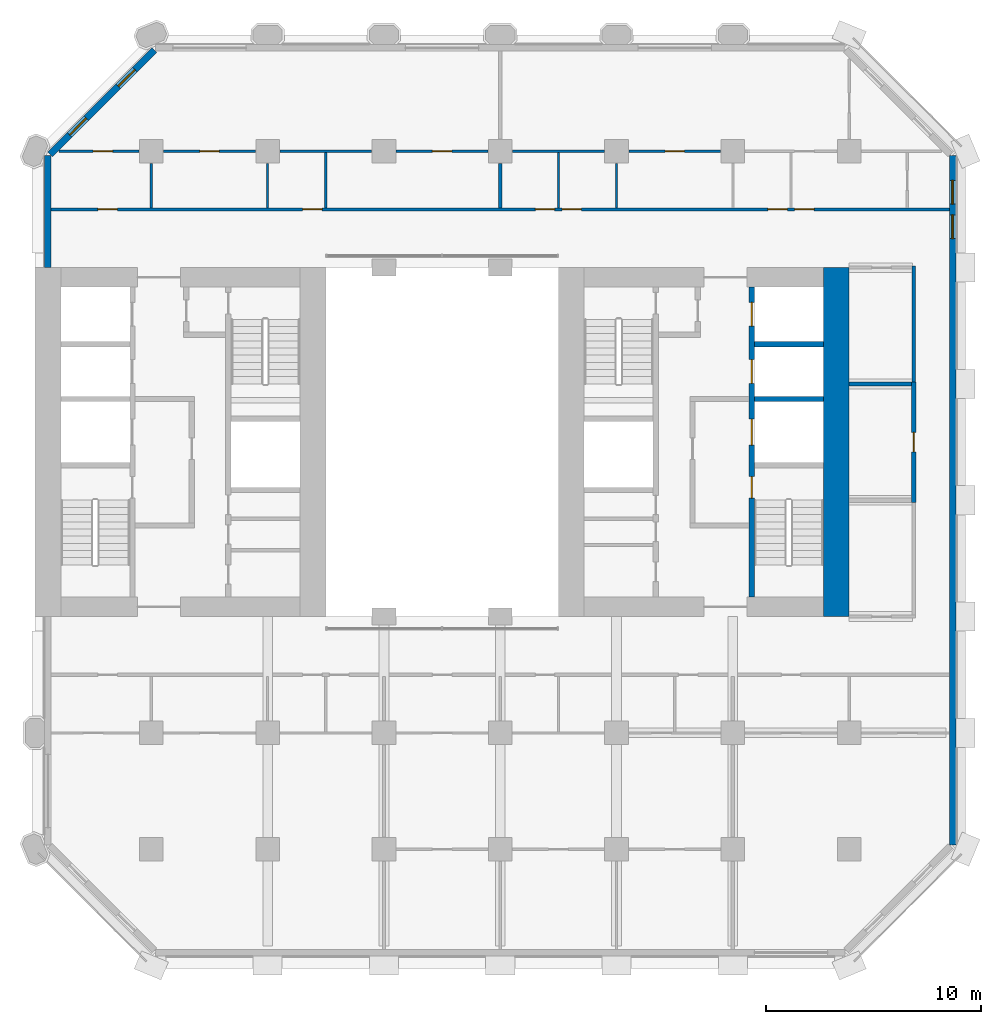
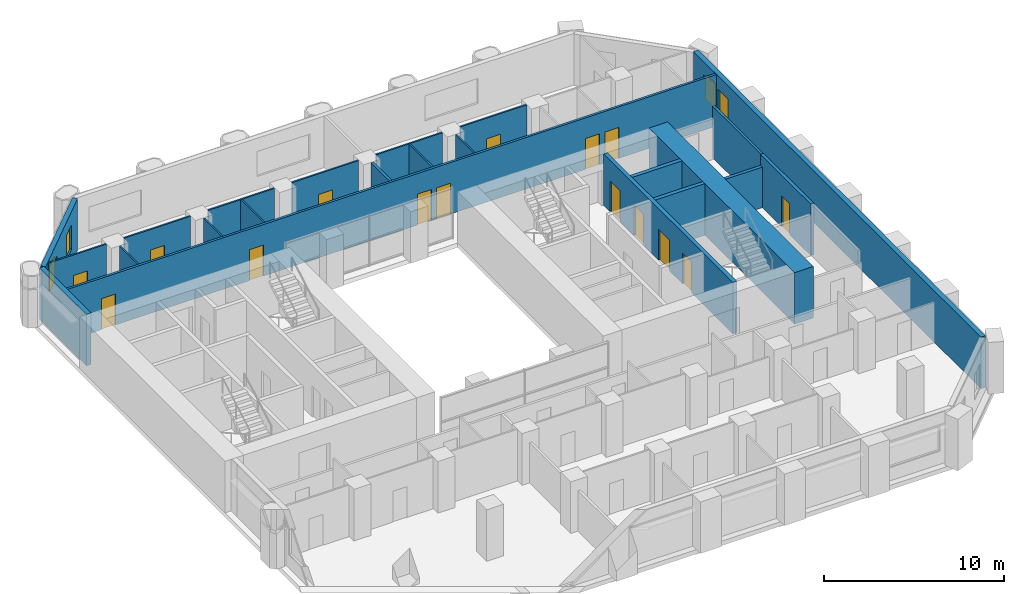
# One storey, part 10 of 13: 23 walls, 15 doors, 4 windows, 19 openings.
"""IFC4 building model written with IfcOpenShell, lengths in metres."""

from ifc_helpers import new_model, si_unit, direction, frame, frame_2d, origin, place, context, subcontext, project, spatial, rectangle, extrude, material, layer, layer_set, type_object, element, fill, save


model = new_model("IFC4")

# Units and contexts
model_context = context("Model", 3, precision=1e-05, world=origin(), true_north=direction((0.0, 1.0)))
body_context = subcontext(model_context, "Body", "Model", "MODEL_VIEW")
ifc_project = project(units=[si_unit("LENGTHUNIT", "METRE"), si_unit("AREAUNIT", "SQUARE_METRE"), si_unit("VOLUMEUNIT", "CUBIC_METRE"), si_unit("PLANEANGLEUNIT", "RADIAN"), si_unit("MASSUNIT", "GRAM", prefix="KILO")], contexts=[model_context])

# Site, building, storey
site_placement = place(None, origin())
site = spatial("IfcSite", under=ifc_project, at=site_placement, CompositionType="ELEMENT")
building_placement = place(site_placement, origin())
building = spatial("IfcBuilding", under=site, at=building_placement, Name="Tabaq Tower and Sports Hall", CompositionType="ELEMENT")
storey_placement = place(building_placement, frame((0.0, 0.0, 37.39990234375)))
storey = spatial("IfcBuildingStorey", under=building, at=storey_placement, Name="L07", CompositionType="ELEMENT", Elevation=37.39990234375)

# Wall
ifc_material_1 = material(Name="Concrete C60/75", Category="concrete")
ifc_layer_1 = layer(ifc_material_1, 1.199951171875)
ifc_layer_set_1 = layer_set([ifc_layer_1], Name="Core wall 1200 Concrete C60/75")
wall_type_1 = type_object("IfcWallType", Name="Core wall 1200 Concrete C60/75", PredefinedType="SOLIDWALL", material=ifc_layer_set_1)
wall_1_placement = place(storey_placement, frame((42.60009765625, 32.39990234375, 0.0), z_axis=(0.0, 0.0, 1.0), x_axis=(0.0, -1.0, 0.0)))
element("IfcWall", 1, at=wall_1_placement, inside=storey, type_object=wall_type_1, Name="Core wall E L07", PredefinedType="SOLIDWALL", context=body_context, shape_type="SweptSolid", body=[
    extrude(rectangle(XDim=16.199951171875, YDim=1.199951171875, at=frame_2d((8.10009765625, 0.0))), origin(), (0.0, 0.0, 1.0), 3.5),
])

# Wall, opening, door
ifc_material_2 = material(Name="Blockwork", Category="masonry")
ifc_layer_2 = layer(ifc_material_2, 0.199951171875)
ifc_layer_set_2 = layer_set([ifc_layer_2], Name="Fire compartment wall 200 Blockwork")
wall_type_2 = type_object("IfcWallType", Name="Fire compartment wall 200 Blockwork", PredefinedType="PARTITIONING", material=ifc_layer_set_2)
wall_2_placement = place(storey_placement, frame((46.199951171875, 21.5, 0.0), z_axis=(0.0, 0.0, 1.0), x_axis=(0.0, 1.0, 0.0)))
wall_2 = element("IfcWall", 2, at=wall_2_placement, inside=storey, type_object=wall_type_2, Name="Compartment wall L07", PredefinedType="PARTITIONING", context=body_context, shape_type="SweptSolid", body=[
    extrude(rectangle(XDim=5.60009765625, YDim=0.199951171875, at=frame_2d((2.800048828125, 0.0))), origin(), (0.0, 0.0, 1.0), 3.5),
])
opening_1_placement = place(wall_2_placement, frame((2.35009765625, 0.0, 0.0)))
opening_1 = element("IfcOpeningElement", 3, at=opening_1_placement, cuts=wall_2, Name="Opening L07-010", PredefinedType="OPENING", context=body_context, shape_type="SweptSolid", body=[
    extrude(rectangle(XDim=0.89990234375, YDim=2.10009765625, at=frame_2d((0.449951171875, 1.050048828125))), frame((0.0, 0.10009765625, 0.0), z_axis=(0.0, -1.0, 0.0), x_axis=(1.0, 0.0, 0.0)), (0.0, 0.0, 1.0), 0.199951171875),
])
ifc_material_3 = material(Name="Steel fire door", Category="steel")
door_type_1 = type_object("IfcDoorType", Name="Plant room door 900 left hand", OperationType="SINGLE_SWING_LEFT", PredefinedType="DOOR", material=ifc_material_3)
door_1_placement = place(opening_1_placement, origin())
door_1 = element("IfcDoor", 4, at=door_1_placement, inside=storey, type_object=door_type_1, Name="Plant room door L07-010", OperationType="SINGLE_SWING_LEFT", OverallHeight=2.10009765625, OverallWidth=0.89990234375, PredefinedType="DOOR", context=body_context, shape_type="SweptSolid", body=[
    extrude(rectangle(XDim=0.89990234375, YDim=2.10009765625, at=frame_2d((0.449951171875, 1.050048828125))), frame((0.0, 0.02490234375, 0.0), z_axis=(0.0, -1.0, 0.0), x_axis=(1.0, 0.0, 0.0)), (0.0, 0.0, 1.0), 0.050048828125),
])
fill(opening_1, door_1)

# Wall
wall_3_placement = place(storey_placement, frame((46.10009765625, 27.0, 0.0), z_axis=(0.0, 0.0, 1.0), x_axis=(-1.0, 0.0, 0.0)))
element("IfcWall", 5, at=wall_3_placement, inside=storey, type_object=wall_type_2, Name="Compartment wall L07", PredefinedType="PARTITIONING", context=body_context, shape_type="SweptSolid", body=[
    extrude(rectangle(XDim=2.900146484375, YDim=0.199951171875, at=frame_2d((1.4501953125, 0.0))), origin(), (0.0, 0.0, 1.0), 2.75),
])

# Wall, opening, door
ifc_material_4 = material(Name="Gypsum board on steel studs", Category="steel")
ifc_layer_3 = layer(ifc_material_4, 0.10009765625)
ifc_layer_set_3 = layer_set([ifc_layer_3], Name="Partition 100 Gypsum board")
wall_type_3 = type_object("IfcWallType", Name="Partition 100 Gypsum board", PredefinedType="PARTITIONING", material=ifc_layer_set_3)
wall_4_placement = place(storey_placement, frame((10.22998046875, 37.800048828125, 0.0), z_axis=(0.0, 0.0, 1.0), x_axis=(-1.0, 0.0, 0.0)))
wall_4 = element("IfcWall", 6, at=wall_4_placement, inside=storey, type_object=wall_type_3, Name="Partition wall L07", PredefinedType="PARTITIONING", context=body_context, shape_type="SweptSolid", body=[
    extrude(rectangle(XDim=3.7177734375, YDim=0.10009765625, at=frame_2d((1.85888671875, 0.0))), origin(), (0.0, 0.0, 1.0), 3.5),
])
opening_2_placement = place(wall_4_placement, frame((1.22998046875, 0.0, 0.0)))
opening_2 = element("IfcOpeningElement", 7, at=opening_2_placement, cuts=wall_4, Name="Opening L07-027", PredefinedType="OPENING", context=body_context, shape_type="SweptSolid", body=[
    extrude(rectangle(XDim=0.89990234375, YDim=2.10009765625, at=frame_2d((0.449951171875, 1.050048828125))), frame((0.0, 0.050048828125, 0.0), z_axis=(0.0, -1.0, 0.0), x_axis=(1.0, 0.0, 0.0)), (0.0, 0.0, 1.0), 0.10009765625),
])
ifc_material_5 = material(Name="Timber leaf in steel frame", Category="steel")
door_type_2 = type_object("IfcDoorType", Name="Internal door 900 right hand", OperationType="SINGLE_SWING_RIGHT", PredefinedType="DOOR", material=ifc_material_5)
door_2_placement = place(opening_2_placement, origin())
door_2 = element("IfcDoor", 8, at=door_2_placement, inside=storey, type_object=door_type_2, Name="Internal door L07-027", OperationType="SINGLE_SWING_RIGHT", OverallHeight=2.10009765625, OverallWidth=0.89990234375, PredefinedType="DOOR", context=body_context, shape_type="SweptSolid", body=[
    extrude(rectangle(XDim=0.89990234375, YDim=2.10009765625, at=frame_2d((0.449951171875, 1.050048828125))), frame((0.0, 0.02490234375, 0.0), z_axis=(0.0, -1.0, 0.0), x_axis=(1.0, 0.0, 0.0)), (0.0, 0.0, 1.0), 0.050048828125),
])
fill(opening_2, door_2)

# Walls
for number, where, z_axis, x_axis, name in (
    (9, (10.800048828125, 35.175048828125, 0.0), (0.0, 0.0, 1.0), (0.0, 1.0, 0.0), "Partition wall L07"),
    (10, (16.199951171875, 35.175048828125, 0.0), (0.0, 0.0, 1.0), (0.0, 1.0, 0.0), "Partition wall L07"),
):
    element("IfcWall", number, at=place(storey_placement, frame(where, z_axis=z_axis, x_axis=x_axis)), inside=storey, type_object=wall_type_3, Name=name, PredefinedType="PARTITIONING", context=body_context, shape_type="SweptSolid", body=[
        extrude(rectangle(XDim=2.054931640625, YDim=0.10009765625, at=frame_2d((1.02734375, 0.0))), origin(), (0.0, 0.0, 1.0), 3.5),
    ])

# Wall, opening, door
wall_5_placement = place(storey_placement, frame((15.6298828125, 37.800048828125, 0.0), z_axis=(0.0, 0.0, 1.0), x_axis=(-1.0, 0.0, 0.0)))
wall_5 = element("IfcWall", 11, at=wall_5_placement, inside=storey, type_object=wall_type_3, Name="Partition wall L07", PredefinedType="PARTITIONING", context=body_context, shape_type="SweptSolid", body=[
    extrude(rectangle(XDim=4.259765625, YDim=0.10009765625, at=frame_2d((2.1298828125, 0.0))), origin(), (0.0, 0.0, 1.0), 3.5),
])
opening_3_placement = place(wall_5_placement, frame((1.679931640625, 0.0, 0.0)))
opening_3 = element("IfcOpeningElement", 12, at=opening_3_placement, cuts=wall_5, Name="Opening L07-012", PredefinedType="OPENING", context=body_context, shape_type="SweptSolid", body=[
    extrude(rectangle(XDim=0.89990234375, YDim=2.10009765625, at=frame_2d((0.449951171875, 1.050048828125))), frame((0.0, 0.050048828125, 0.0), z_axis=(0.0, -1.0, 0.0), x_axis=(1.0, 0.0, 0.0)), (0.0, 0.0, 1.0), 0.10009765625),
])
ifc_material_6 = material(Name="Timber leaf in steel frame", Category="steel")
door_type_3 = type_object("IfcDoorType", Name="Internal door 900 left hand", OperationType="SINGLE_SWING_LEFT", PredefinedType="DOOR", material=ifc_material_6)
door_3_placement = place(opening_3_placement, origin())
door_3 = element("IfcDoor", 13, at=door_3_placement, inside=storey, type_object=door_type_3, Name="Internal door L07-012", OperationType="SINGLE_SWING_LEFT", OverallHeight=2.10009765625, OverallWidth=0.89990234375, PredefinedType="DOOR", context=body_context, shape_type="SweptSolid", body=[
    extrude(rectangle(XDim=0.89990234375, YDim=2.10009765625, at=frame_2d((0.449951171875, 1.050048828125))), frame((0.0, 0.02490234375, 0.0), z_axis=(0.0, -1.0, 0.0), x_axis=(1.0, 0.0, 0.0)), (0.0, 0.0, 1.0), 0.050048828125),
])
fill(opening_3, door_3)

# Wall
wall_6_placement = place(storey_placement, frame((18.89990234375, 35.175048828125, 0.0), z_axis=(0.0, 0.0, 1.0), x_axis=(0.0, 1.0, 0.0)))
element("IfcWall", 14, at=wall_6_placement, inside=storey, type_object=wall_type_3, Name="Partition wall L07", PredefinedType="PARTITIONING", context=body_context, shape_type="SweptSolid", body=[
    extrude(rectangle(XDim=2.574951171875, YDim=0.10009765625, at=frame_2d((1.28759765625, 0.0))), origin(), (0.0, 0.0, 1.0), 3.5),
])

# Wall, opening, door
wall_7_placement = place(storey_placement, frame((26.429931640625, 37.800048828125, 0.0), z_axis=(0.0, 0.0, 1.0), x_axis=(-1.0, 0.0, 0.0)))
wall_7 = element("IfcWall", 15, at=wall_7_placement, inside=storey, type_object=wall_type_3, Name="Partition wall L07", PredefinedType="PARTITIONING", context=body_context, shape_type="SweptSolid", body=[
    extrude(rectangle(XDim=4.260009765625, YDim=0.10009765625, at=frame_2d((2.1298828125, 0.0))), origin(), (0.0, 0.0, 1.0), 3.5),
])
opening_4_placement = place(wall_7_placement, frame((1.679931640625, 0.0, 0.0)))
opening_4 = element("IfcOpeningElement", 16, at=opening_4_placement, cuts=wall_7, Name="Opening L07-013", PredefinedType="OPENING", context=body_context, shape_type="SweptSolid", body=[
    extrude(rectangle(XDim=0.89990234375, YDim=2.10009765625, at=frame_2d((0.449951171875, 1.050048828125))), frame((0.0, 0.050048828125, 0.0), z_axis=(0.0, -1.0, 0.0), x_axis=(1.0, 0.0, 0.0)), (0.0, 0.0, 1.0), 0.10009765625),
])
door_4_placement = place(opening_4_placement, origin())
door_4 = element("IfcDoor", 17, at=door_4_placement, inside=storey, type_object=door_type_2, Name="Internal door L07-013", OperationType="SINGLE_SWING_RIGHT", OverallHeight=2.10009765625, OverallWidth=0.89990234375, PredefinedType="DOOR", context=body_context, shape_type="SweptSolid", body=[
    extrude(rectangle(XDim=0.89990234375, YDim=2.10009765625, at=frame_2d((0.449951171875, 1.050048828125))), frame((0.0, 0.02490234375, 0.0), z_axis=(0.0, -1.0, 0.0), x_axis=(1.0, 0.0, 0.0)), (0.0, 0.0, 1.0), 0.050048828125),
])
fill(opening_4, door_4)

# Walls
wall_8_placement = place(storey_placement, frame((21.030029296875, 37.800048828125, 0.0), z_axis=(0.0, 0.0, 1.0), x_axis=(-1.0, 0.0, 0.0)))
element("IfcWall", 18, at=wall_8_placement, inside=storey, type_object=wall_type_3, Name="Partition wall L07", PredefinedType="PARTITIONING", context=body_context, shape_type="SweptSolid", body=[
    extrude(rectangle(XDim=4.260009765625, YDim=0.10009765625, at=frame_2d((2.1298828125, 0.0))), origin(), (0.0, 0.0, 1.0), 3.5),
])
wall_9_placement = place(storey_placement, frame((29.699951171875, 35.175048828125, 0.0), z_axis=(0.0, 0.0, 1.0), x_axis=(0.0, 1.0, 0.0)))
element("IfcWall", 19, at=wall_9_placement, inside=storey, type_object=wall_type_3, Name="Partition wall L07", PredefinedType="PARTITIONING", context=body_context, shape_type="SweptSolid", body=[
    extrude(rectangle(XDim=2.574951171875, YDim=0.10009765625, at=frame_2d((1.28759765625, 0.0))), origin(), (0.0, 0.0, 1.0), 3.5),
])
wall_10_placement = place(storey_placement, frame((32.39990234375, 35.175048828125, 0.0), z_axis=(0.0, 0.0, 1.0), x_axis=(0.0, 1.0, 0.0)))
element("IfcWall", 20, at=wall_10_placement, inside=storey, type_object=wall_type_3, Name="Partition wall L07", PredefinedType="PARTITIONING", context=body_context, shape_type="SweptSolid", body=[
    extrude(rectangle(XDim=2.054931640625, YDim=0.10009765625, at=frame_2d((1.02734375, 0.0))), origin(), (0.0, 0.0, 1.0), 3.5),
])
wall_11_placement = place(storey_placement, frame((31.830078125, 37.800048828125, 0.0), z_axis=(0.0, 0.0, 1.0), x_axis=(-1.0, 0.0, 0.0)))
element("IfcWall", 21, at=wall_11_placement, inside=storey, type_object=wall_type_3, Name="Partition wall L07", PredefinedType="PARTITIONING", context=body_context, shape_type="SweptSolid", body=[
    extrude(rectangle(XDim=4.260009765625, YDim=0.10009765625, at=frame_2d((2.1298828125, 0.0))), origin(), (0.0, 0.0, 1.0), 3.5),
])

# Wall, opening, door
wall_12_placement = place(storey_placement, frame((37.22998046875, 37.800048828125, 0.0), z_axis=(0.0, 0.0, 1.0), x_axis=(-1.0, 0.0, 0.0)))
wall_12 = element("IfcWall", 22, at=wall_12_placement, inside=storey, type_object=wall_type_3, Name="Partition wall L07", PredefinedType="PARTITIONING", context=body_context, shape_type="SweptSolid", body=[
    extrude(rectangle(XDim=4.260009765625, YDim=0.10009765625, at=frame_2d((2.1298828125, 0.0))), origin(), (0.0, 0.0, 1.0), 3.5),
])
opening_5_placement = place(wall_12_placement, frame((1.679931640625, 0.0, 0.0)))
opening_5 = element("IfcOpeningElement", 23, at=opening_5_placement, cuts=wall_12, Name="Opening L07-014", PredefinedType="OPENING", context=body_context, shape_type="SweptSolid", body=[
    extrude(rectangle(XDim=0.89990234375, YDim=2.10009765625, at=frame_2d((0.449951171875, 1.050048828125))), frame((0.0, 0.050048828125, 0.0), z_axis=(0.0, -1.0, 0.0), x_axis=(1.0, 0.0, 0.0)), (0.0, 0.0, 1.0), 0.10009765625),
])
door_5_placement = place(opening_5_placement, origin())
door_5 = element("IfcDoor", 24, at=door_5_placement, inside=storey, type_object=door_type_2, Name="Internal door L07-014", OperationType="SINGLE_SWING_RIGHT", OverallHeight=2.10009765625, OverallWidth=0.89990234375, PredefinedType="DOOR", context=body_context, shape_type="SweptSolid", body=[
    extrude(rectangle(XDim=0.89990234375, YDim=2.10009765625, at=frame_2d((0.449951171875, 1.050048828125))), frame((0.0, 0.02490234375, 0.0), z_axis=(0.0, -1.0, 0.0), x_axis=(1.0, 0.0, 0.0)), (0.0, 0.0, 1.0), 0.050048828125),
])
fill(opening_5, door_5)

# Wall
ifc_material_7 = material(Name="Blockwork", Category="masonry")
ifc_layer_4 = layer(ifc_material_7, 0.14990234375)
ifc_layer_set_4 = layer_set([ifc_layer_4], Name="Separating wall 150 Blockwork")
wall_type_4 = type_object("IfcWallType", Name="Separating wall 150 Blockwork", PredefinedType="PARTITIONING", material=ifc_layer_set_4)
wall_13_placement = place(storey_placement, frame((46.199951171875, 27.10009765625, 0.0), z_axis=(0.0, 0.0, 1.0), x_axis=(0.0, 1.0, 0.0)))
element("IfcWall", 25, at=wall_13_placement, inside=storey, type_object=wall_type_4, Name="Separating wall L07", PredefinedType="PARTITIONING", context=body_context, shape_type="SweptSolid", body=[
    extrude(rectangle(XDim=5.375, YDim=0.14990234375, at=frame_2d((2.6875, 0.0))), origin(), (0.0, 0.0, 1.0), 3.5),
])

# Wall, openings, doors
wall_14_placement = place(storey_placement, frame((6.15087890625, 35.10009765625, 0.0), z_axis=(0.0, 0.0, 1.0), x_axis=(1.0, 0.0, 0.0)))
wall_14 = element("IfcWall", 26, at=wall_14_placement, inside=storey, type_object=wall_type_4, Name="Separating wall L07", PredefinedType="PARTITIONING", context=body_context, shape_type="SweptSolid", body=[
    extrude(rectangle(XDim=41.6982421875, YDim=0.14990234375, at=frame_2d((20.84912109375, 0.0))), origin(), (0.0, 0.0, 1.0), 3.5),
])
opening_6_placement = place(wall_14_placement, frame((11.678955078125, 0.0, 0.0)))
opening_6 = element("IfcOpeningElement", 27, at=opening_6_placement, cuts=wall_14, Name="Opening L07-001", PredefinedType="OPENING", context=body_context, shape_type="SweptSolid", body=[
    extrude(rectangle(XDim=0.89990234375, YDim=2.10009765625, at=frame_2d((0.449951171875, 1.050048828125))), frame((0.0, 0.074951171875, 0.0), z_axis=(0.0, -1.0, 0.0), x_axis=(1.0, 0.0, 0.0)), (0.0, 0.0, 1.0), 0.14990234375),
])
opening_7_placement = place(wall_14_placement, frame((22.47900390625, 0.0, 0.0)))
opening_7 = element("IfcOpeningElement", 28, at=opening_7_placement, cuts=wall_14, Name="Opening L07-002", PredefinedType="OPENING", context=body_context, shape_type="SweptSolid", body=[
    extrude(rectangle(XDim=0.89990234375, YDim=2.10009765625, at=frame_2d((0.449951171875, 1.050048828125))), frame((0.0, 0.074951171875, 0.0), z_axis=(0.0, -1.0, 0.0), x_axis=(1.0, 0.0, 0.0)), (0.0, 0.0, 1.0), 0.14990234375),
])
opening_8_placement = place(wall_14_placement, frame((23.718994140625, 0.0, 0.0)))
opening_8 = element("IfcOpeningElement", 29, at=opening_8_placement, cuts=wall_14, Name="Opening L07-003", PredefinedType="OPENING", context=body_context, shape_type="SweptSolid", body=[
    extrude(rectangle(XDim=0.89990234375, YDim=2.10009765625, at=frame_2d((0.449951171875, 1.050048828125))), frame((0.0, 0.074951171875, 0.0), z_axis=(0.0, -1.0, 0.0), x_axis=(1.0, 0.0, 0.0)), (0.0, 0.0, 1.0), 0.14990234375),
])
opening_9_placement = place(wall_14_placement, frame((33.279052734375, 0.0, 0.0)))
opening_9 = element("IfcOpeningElement", 30, at=opening_9_placement, cuts=wall_14, Name="Opening L07-004", PredefinedType="OPENING", context=body_context, shape_type="SweptSolid", body=[
    extrude(rectangle(XDim=0.89990234375, YDim=2.10009765625, at=frame_2d((0.449951171875, 1.050048828125))), frame((0.0, 0.074951171875, 0.0), z_axis=(0.0, -1.0, 0.0), x_axis=(1.0, 0.0, 0.0)), (0.0, 0.0, 1.0), 0.14990234375),
])
opening_10_placement = place(wall_14_placement, frame((2.174072265625, 0.0, 0.0)))
opening_10 = element("IfcOpeningElement", 31, at=opening_10_placement, cuts=wall_14, Name="Opening L07-023", PredefinedType="OPENING", context=body_context, shape_type="SweptSolid", body=[
    extrude(rectangle(XDim=0.89990234375, YDim=2.10009765625, at=frame_2d((0.449951171875, 1.050048828125))), frame((0.0, 0.074951171875, 0.0), z_axis=(0.0, -1.0, 0.0), x_axis=(1.0, 0.0, 0.0)), (0.0, 0.0, 1.0), 0.14990234375),
])
opening_11_placement = place(wall_14_placement, frame((34.51904296875, 0.0, 0.0)))
opening_11 = element("IfcOpeningElement", 32, at=opening_11_placement, cuts=wall_14, Name="Opening L07-031", PredefinedType="OPENING", context=body_context, shape_type="SweptSolid", body=[
    extrude(rectangle(XDim=0.89990234375, YDim=2.10009765625, at=frame_2d((0.449951171875, 1.050048828125))), frame((0.0, 0.074951171875, 0.0), z_axis=(0.0, -1.0, 0.0), x_axis=(1.0, 0.0, 0.0)), (0.0, 0.0, 1.0), 0.14990234375),
])
ifc_material_8 = material(Name="Steel fire door", Category="steel")
door_type_4 = type_object("IfcDoorType", Name="Entrance door 900 left hand", OperationType="SINGLE_SWING_LEFT", PredefinedType="DOOR", material=ifc_material_8)
door_6_placement = place(opening_6_placement, origin())
door_6 = element("IfcDoor", 33, at=door_6_placement, inside=storey, type_object=door_type_4, Name="Entrance door L07-001", OperationType="SINGLE_SWING_LEFT", OverallHeight=2.10009765625, OverallWidth=0.89990234375, PredefinedType="DOOR", context=body_context, shape_type="SweptSolid", body=[
    extrude(rectangle(XDim=0.89990234375, YDim=2.10009765625, at=frame_2d((0.449951171875, 1.050048828125))), frame((0.0, 0.02490234375, 0.0), z_axis=(0.0, -1.0, 0.0), x_axis=(1.0, 0.0, 0.0)), (0.0, 0.0, 1.0), 0.050048828125),
])
fill(opening_6, door_6)
door_7_placement = place(opening_7_placement, origin())
door_7 = element("IfcDoor", 34, at=door_7_placement, inside=storey, type_object=door_type_4, Name="Entrance door L07-002", OperationType="SINGLE_SWING_LEFT", OverallHeight=2.10009765625, OverallWidth=0.89990234375, PredefinedType="DOOR", context=body_context, shape_type="SweptSolid", body=[
    extrude(rectangle(XDim=0.89990234375, YDim=2.10009765625, at=frame_2d((0.449951171875, 1.050048828125))), frame((0.0, 0.02490234375, 0.0), z_axis=(0.0, -1.0, 0.0), x_axis=(1.0, 0.0, 0.0)), (0.0, 0.0, 1.0), 0.050048828125),
])
fill(opening_7, door_7)
door_8_placement = place(opening_8_placement, origin())
door_8 = element("IfcDoor", 35, at=door_8_placement, inside=storey, type_object=door_type_4, Name="Entrance door L07-003", OperationType="SINGLE_SWING_LEFT", OverallHeight=2.10009765625, OverallWidth=0.89990234375, PredefinedType="DOOR", context=body_context, shape_type="SweptSolid", body=[
    extrude(rectangle(XDim=0.89990234375, YDim=2.10009765625, at=frame_2d((0.449951171875, 1.050048828125))), frame((0.0, 0.02490234375, 0.0), z_axis=(0.0, -1.0, 0.0), x_axis=(1.0, 0.0, 0.0)), (0.0, 0.0, 1.0), 0.050048828125),
])
fill(opening_8, door_8)
door_9_placement = place(opening_9_placement, origin())
door_9 = element("IfcDoor", 36, at=door_9_placement, inside=storey, type_object=door_type_4, Name="Entrance door L07-004", OperationType="SINGLE_SWING_LEFT", OverallHeight=2.10009765625, OverallWidth=0.89990234375, PredefinedType="DOOR", context=body_context, shape_type="SweptSolid", body=[
    extrude(rectangle(XDim=0.89990234375, YDim=2.10009765625, at=frame_2d((0.449951171875, 1.050048828125))), frame((0.0, 0.02490234375, 0.0), z_axis=(0.0, -1.0, 0.0), x_axis=(1.0, 0.0, 0.0)), (0.0, 0.0, 1.0), 0.050048828125),
])
fill(opening_9, door_9)
door_10_placement = place(opening_10_placement, origin())
door_10 = element("IfcDoor", 37, at=door_10_placement, inside=storey, type_object=door_type_4, Name="Entrance door L07-023", OperationType="SINGLE_SWING_LEFT", OverallHeight=2.10009765625, OverallWidth=0.89990234375, PredefinedType="DOOR", context=body_context, shape_type="SweptSolid", body=[
    extrude(rectangle(XDim=0.89990234375, YDim=2.10009765625, at=frame_2d((0.449951171875, 1.050048828125))), frame((0.0, 0.02490234375, 0.0), z_axis=(0.0, -1.0, 0.0), x_axis=(1.0, 0.0, 0.0)), (0.0, 0.0, 1.0), 0.050048828125),
])
fill(opening_10, door_10)
ifc_material_9 = material(Name="Steel fire door", Category="steel")
door_type_5 = type_object("IfcDoorType", Name="Entrance door 900 right hand", OperationType="SINGLE_SWING_RIGHT", PredefinedType="DOOR", material=ifc_material_9)
door_11_placement = place(opening_11_placement, origin())
door_11 = element("IfcDoor", 38, at=door_11_placement, inside=storey, type_object=door_type_5, Name="Entrance door L07-031", OperationType="SINGLE_SWING_RIGHT", OverallHeight=2.10009765625, OverallWidth=0.89990234375, PredefinedType="DOOR", context=body_context, shape_type="SweptSolid", body=[
    extrude(rectangle(XDim=0.89990234375, YDim=2.10009765625, at=frame_2d((0.449951171875, 1.050048828125))), frame((0.0, 0.02490234375, 0.0), z_axis=(0.0, -1.0, 0.0), x_axis=(1.0, 0.0, 0.0)), (0.0, 0.0, 1.0), 0.050048828125),
])
fill(opening_11, door_11)

# Wall
wall_15_placement = place(storey_placement, frame((27.0, 35.175048828125, 0.0), z_axis=(0.0, 0.0, 1.0), x_axis=(0.0, 1.0, 0.0)))
element("IfcWall", 39, at=wall_15_placement, inside=storey, type_object=wall_type_4, Name="Separating wall L07", PredefinedType="PARTITIONING", context=body_context, shape_type="SweptSolid", body=[
    extrude(rectangle(XDim=2.054931640625, YDim=0.14990234375, at=frame_2d((1.02734375, 0.0))), origin(), (0.0, 0.0, 1.0), 3.5),
])

# Wall, openings, doors
ifc_material_10 = material(Name="Concrete C40/50", Category="concrete")
ifc_layer_5 = layer(ifc_material_10, 0.25)
ifc_layer_set_5 = layer_set([ifc_layer_5], Name="Shaft and stair wall 250 Concrete C40/50")
wall_type_5 = type_object("IfcWallType", Name="Shaft and stair wall 250 Concrete C40/50", PredefinedType="SOLIDWALL", material=ifc_layer_set_5)
wall_16_placement = place(storey_placement, frame((38.675048828125, 17.10009765625, 0.0), z_axis=(0.0, 0.0, 1.0), x_axis=(0.0, 1.0, 0.0)))
wall_16 = element("IfcWall", 40, at=wall_16_placement, inside=storey, type_object=wall_type_5, Name="Shaft wall E L07", PredefinedType="SOLIDWALL", context=body_context, shape_type="SweptSolid", body=[
    extrude(rectangle(XDim=14.39990234375, YDim=0.25, at=frame_2d((7.199951171875, 0.0))), origin(), (0.0, 0.0, 1.0), 3.5),
])
opening_12_placement = place(wall_16_placement, frame((4.60009765625, 0.0, 0.0)))
opening_12 = element("IfcOpeningElement", 41, at=opening_12_placement, cuts=wall_16, Name="Opening SD-EL07-03", PredefinedType="OPENING", context=body_context, shape_type="SweptSolid", body=[
    extrude(rectangle(XDim=1.0, YDim=2.10009765625, at=frame_2d((0.5, 1.050048828125))), frame((0.0, 0.125, 0.0), z_axis=(0.0, -1.0, 0.0), x_axis=(1.0, 0.0, 0.0)), (0.0, 0.0, 1.0), 0.25),
])
opening_13_placement = place(wall_16_placement, frame((7.0625, 0.0, 0.0)))
opening_13 = element("IfcOpeningElement", 42, at=opening_13_placement, cuts=wall_16, Name="Opening LD-FF2-L07", PredefinedType="OPENING", context=body_context, shape_type="SweptSolid", body=[
    extrude(rectangle(XDim=1.199951171875, YDim=2.10009765625, at=frame_2d((0.60009765625, 1.050048828125))), frame((0.0, 0.125, 0.0), z_axis=(0.0, -1.0, 0.0), x_axis=(1.0, 0.0, 0.0)), (0.0, 0.0, 1.0), 0.25),
])
opening_14_placement = place(wall_16_placement, frame((9.925048828125, 0.0, 0.0)))
opening_14 = element("IfcOpeningElement", 43, at=opening_14_placement, cuts=wall_16, Name="Opening LD-LR3-L07", PredefinedType="OPENING", context=body_context, shape_type="SweptSolid", body=[
    extrude(rectangle(XDim=1.10009765625, YDim=2.10009765625, at=frame_2d((0.550048828125, 1.050048828125))), frame((0.0, 0.125, 0.0), z_axis=(0.0, -1.0, 0.0), x_axis=(1.0, 0.0, 0.0)), (0.0, 0.0, 1.0), 0.25),
])
opening_15_placement = place(wall_16_placement, frame((12.58740234375, 0.0, 0.0)))
opening_15 = element("IfcOpeningElement", 44, at=opening_15_placement, cuts=wall_16, Name="Opening LD-LR4-L07", PredefinedType="OPENING", context=body_context, shape_type="SweptSolid", body=[
    extrude(rectangle(XDim=1.10009765625, YDim=2.10009765625, at=frame_2d((0.550048828125, 1.050048828125))), frame((0.0, 0.125, 0.0), z_axis=(0.0, -1.0, 0.0), x_axis=(1.0, 0.0, 0.0)), (0.0, 0.0, 1.0), 0.25),
])
ifc_material_11 = material(Name="Stainless steel", Category="steel")
door_type_6 = type_object("IfcDoorType", Name="Lift landing door 1100", OperationType="DOUBLE_DOOR_SLIDING", PredefinedType="DOOR", material=ifc_material_11)
door_12_placement = place(opening_14_placement, origin())
door_12 = element("IfcDoor", 45, at=door_12_placement, inside=storey, type_object=door_type_6, Name="Lift landing door LR3 E L07", OperationType="DOUBLE_DOOR_SLIDING", OverallHeight=2.10009765625, OverallWidth=1.10009765625, PredefinedType="DOOR", context=body_context, shape_type="SweptSolid", body=[
    extrude(rectangle(XDim=1.10009765625, YDim=2.10009765625, at=frame_2d((0.550048828125, 1.050048828125))), frame((0.0, 0.02490234375, 0.0), z_axis=(0.0, -1.0, 0.0), x_axis=(1.0, 0.0, 0.0)), (0.0, 0.0, 1.0), 0.050048828125),
])
fill(opening_14, door_12)
door_13_placement = place(opening_15_placement, origin())
door_13 = element("IfcDoor", 46, at=door_13_placement, inside=storey, type_object=door_type_6, Name="Lift landing door LR4 E L07", OperationType="DOUBLE_DOOR_SLIDING", OverallHeight=2.10009765625, OverallWidth=1.10009765625, PredefinedType="DOOR", context=body_context, shape_type="SweptSolid", body=[
    extrude(rectangle(XDim=1.10009765625, YDim=2.10009765625, at=frame_2d((0.550048828125, 1.050048828125))), frame((0.0, 0.02490234375, 0.0), z_axis=(0.0, -1.0, 0.0), x_axis=(1.0, 0.0, 0.0)), (0.0, 0.0, 1.0), 0.050048828125),
])
fill(opening_15, door_13)
ifc_material_12 = material(Name="Stainless steel", Category="steel")
door_type_7 = type_object("IfcDoorType", Name="Lift landing door 1200", OperationType="DOUBLE_DOOR_SLIDING", PredefinedType="DOOR", material=ifc_material_12)
door_14_placement = place(opening_13_placement, origin())
door_14 = element("IfcDoor", 47, at=door_14_placement, inside=storey, type_object=door_type_7, Name="Lift landing door FF2 E L07", OperationType="DOUBLE_DOOR_SLIDING", OverallHeight=2.10009765625, OverallWidth=1.199951171875, PredefinedType="DOOR", context=body_context, shape_type="SweptSolid", body=[
    extrude(rectangle(XDim=1.199951171875, YDim=2.10009765625, at=frame_2d((0.60009765625, 1.050048828125))), frame((0.0, 0.02490234375, 0.0), z_axis=(0.0, -1.0, 0.0), x_axis=(1.0, 0.0, 0.0)), (0.0, 0.0, 1.0), 0.050048828125),
])
fill(opening_13, door_14)
ifc_material_13 = material(Name="Steel fire door", Category="steel")
door_type_8 = type_object("IfcDoorType", Name="Stair door 1000", OperationType="SINGLE_SWING_LEFT", PredefinedType="DOOR", material=ifc_material_13)
door_15_placement = place(opening_12_placement, origin())
door_15 = element("IfcDoor", 48, at=door_15_placement, inside=storey, type_object=door_type_8, Name="Stair door ST3 E L07", OperationType="SINGLE_SWING_LEFT", OverallHeight=2.10009765625, OverallWidth=1.0, PredefinedType="DOOR", context=body_context, shape_type="SweptSolid", body=[
    extrude(rectangle(XDim=1.0, YDim=2.10009765625, at=frame_2d((0.5, 1.050048828125))), frame((0.0, 0.02490234375, 0.0), z_axis=(0.0, -1.0, 0.0), x_axis=(1.0, 0.0, 0.0)), (0.0, 0.0, 1.0), 0.050048828125),
])
fill(opening_12, door_15)

# Walls
for number, where, z_axis, x_axis, name in (
    (49, (38.800048828125, 26.300048828125, 0.0), (0.0, 0.0, 1.0), (1.0, 0.0, 0.0), "Shaft wall E L07"),
    (50, (38.800048828125, 28.85009765625, 0.0), (0.0, 0.0, 1.0), (1.0, 0.0, 0.0), "Shaft wall E L07"),
):
    element("IfcWall", number, at=place(storey_placement, frame(where, z_axis=z_axis, x_axis=x_axis)), inside=storey, type_object=wall_type_5, Name=name, PredefinedType="SOLIDWALL", context=body_context, shape_type="SweptSolid", body=[
        extrude(rectangle(XDim=3.199951171875, YDim=0.25, at=frame_2d((1.60009765625, 0.0))), origin(), (0.0, 0.0, 1.0), 3.5),
    ])

# Wall, openings, windows
ifc_material_14 = material(Name="White precast concrete C60/75", Category="concrete")
ifc_layer_6 = layer(ifc_material_14, 0.300048828125)
ifc_layer_set_6 = layer_set([ifc_layer_6], Name="White precast concrete C60/75 external wall 300")
wall_type_6 = type_object("IfcWallType", Name="White precast concrete C60/75 external wall 300", PredefinedType="SOLIDWALL", material=ifc_layer_set_6)
wall_17_placement = place(storey_placement, frame((48.0, 5.58642578125, 0.0), z_axis=(0.0, 0.0, 1.0), x_axis=(0.0, 1.0, 0.0)))
wall_17 = element("IfcWall", 51, at=wall_17_placement, inside=storey, type_object=wall_type_6, Name="External Wall L07 E", PredefinedType="SOLIDWALL", context=body_context, shape_type="SweptSolid", body=[
    extrude(rectangle(XDim=32.027099609375, YDim=0.300048828125, at=frame_2d((16.013671875, 0.0))), origin(), (0.0, 0.0, 1.0), 3.5),
])
opening_16_placement = place(wall_17_placement, frame((28.16357421875, 0.0, 0.89990234375)))
opening_16 = element("IfcOpeningElement", 52, at=opening_16_placement, cuts=wall_17, Name="Opening W1B", PredefinedType="OPENING", context=body_context, shape_type="SweptSolid", body=[
    extrude(rectangle(XDim=1.10009765625, YDim=1.699951171875, at=frame_2d((0.550048828125, 0.85009765625))), frame((0.0, 0.16015625, 0.0), z_axis=(0.0, -1.0, 0.0), x_axis=(1.0, 0.0, 0.0)), (0.0, 0.0, 1.0), 0.320068359375),
])
opening_17_placement = place(wall_17_placement, frame((29.763671875, 0.0, 0.89990234375)))
opening_17 = element("IfcOpeningElement", 53, at=opening_17_placement, cuts=wall_17, Name="Opening W1B", PredefinedType="OPENING", context=body_context, shape_type="SweptSolid", body=[
    extrude(rectangle(XDim=1.10009765625, YDim=1.699951171875, at=frame_2d((0.550048828125, 0.85009765625))), frame((0.0, 0.16015625, 0.0), z_axis=(0.0, -1.0, 0.0), x_axis=(1.0, 0.0, 0.0)), (0.0, 0.0, 1.0), 0.320068359375),
])
ifc_material_15 = material(Name="Aluminium framed clear glazing", Category="aluminium")
window_type = type_object("IfcWindowType", Name="Window W1B", PartitioningType="SINGLE_PANEL", PredefinedType="WINDOW", material=ifc_material_15)
window_1_placement = place(opening_16_placement, origin())
window_1 = element("IfcWindow", 54, at=window_1_placement, inside=storey, type_object=window_type, Name="Window W1B L07", OverallHeight=1.699951171875, OverallWidth=1.10009765625, PartitioningType="SINGLE_PANEL", PredefinedType="WINDOW", context=body_context, shape_type="SweptSolid", body=[
    extrude(rectangle(XDim=1.10009765625, YDim=1.699951171875, at=frame_2d((0.550048828125, 0.85009765625))), frame((0.0, 0.030029296875, 0.0), z_axis=(0.0, -1.0, 0.0), x_axis=(1.0, 0.0, 0.0)), (0.0, 0.0, 1.0), 0.06005859375),
])
fill(opening_16, window_1)
window_2_placement = place(opening_17_placement, origin())
window_2 = element("IfcWindow", 55, at=window_2_placement, inside=storey, type_object=window_type, Name="Window W1B L07", OverallHeight=1.699951171875, OverallWidth=1.10009765625, PartitioningType="SINGLE_PANEL", PredefinedType="WINDOW", context=body_context, shape_type="SweptSolid", body=[
    extrude(rectangle(XDim=1.10009765625, YDim=1.699951171875, at=frame_2d((0.550048828125, 0.85009765625))), frame((0.0, 0.030029296875, 0.0), z_axis=(0.0, -1.0, 0.0), x_axis=(1.0, 0.0, 0.0)), (0.0, 0.0, 1.0), 0.06005859375),
])
fill(opening_17, window_2)

wall_18_placement = place(storey_placement, frame((10.949462890625, 42.5009765625, 0.0), z_axis=(0.0, 0.0, 1.0), x_axis=(-0.707106781187, -0.707106781187, 0.0)))
wall_18 = element("IfcWall", 56, at=wall_18_placement, inside=storey, type_object=wall_type_6, Name="External Wall L07 NW", PredefinedType="SOLIDWALL", context=body_context, shape_type="SweptSolid", body=[
    extrude(rectangle(XDim=6.85986328125, YDim=0.300048828125, at=frame_2d((3.429931640625, 0.0))), origin(), (0.0, 0.0, 1.0), 3.5),
])
opening_18_placement = place(wall_18_placement, frame((1.27978515625, 0.0, 0.89990234375)))
opening_18 = element("IfcOpeningElement", 57, at=opening_18_placement, cuts=wall_18, Name="Opening W1B", PredefinedType="OPENING", context=body_context, shape_type="SweptSolid", body=[
    extrude(rectangle(XDim=1.10009765625, YDim=1.699951171875, at=frame_2d((0.550048828125, 0.85009765625))), frame((0.0, 0.16015625, 0.0), z_axis=(0.0, -1.0, 0.0), x_axis=(1.0, 0.0, 0.0)), (0.0, 0.0, 1.0), 0.320068359375),
])
opening_19_placement = place(wall_18_placement, frame((4.479736328125, 0.0, 0.89990234375)))
opening_19 = element("IfcOpeningElement", 58, at=opening_19_placement, cuts=wall_18, Name="Opening W1B", PredefinedType="OPENING", context=body_context, shape_type="SweptSolid", body=[
    extrude(rectangle(XDim=1.10009765625, YDim=1.699951171875, at=frame_2d((0.550048828125, 0.85009765625))), frame((0.0, 0.16015625, 0.0), z_axis=(0.0, -1.0, 0.0), x_axis=(1.0, 0.0, 0.0)), (0.0, 0.0, 1.0), 0.320068359375),
])
window_3_placement = place(opening_18_placement, origin())
window_3 = element("IfcWindow", 59, at=window_3_placement, inside=storey, type_object=window_type, Name="Window W1B L07", OverallHeight=1.699951171875, OverallWidth=1.10009765625, PartitioningType="SINGLE_PANEL", PredefinedType="WINDOW", context=body_context, shape_type="SweptSolid", body=[
    extrude(rectangle(XDim=1.10009765625, YDim=1.699951171875, at=frame_2d((0.550048828125, 0.85009765625))), frame((0.0, 0.030029296875, 0.0), z_axis=(0.0, -1.0, 0.0), x_axis=(1.0, 0.0, 0.0)), (0.0, 0.0, 1.0), 0.06005859375),
])
fill(opening_18, window_3)
window_4_placement = place(opening_19_placement, origin())
window_4 = element("IfcWindow", 60, at=window_4_placement, inside=storey, type_object=window_type, Name="Window W1B L07", OverallHeight=1.699951171875, OverallWidth=1.10009765625, PartitioningType="SINGLE_PANEL", PredefinedType="WINDOW", context=body_context, shape_type="SweptSolid", body=[
    extrude(rectangle(XDim=1.10009765625, YDim=1.699951171875, at=frame_2d((0.550048828125, 0.85009765625))), frame((0.0, 0.030029296875, 0.0), z_axis=(0.0, -1.0, 0.0), x_axis=(1.0, 0.0, 0.0)), (0.0, 0.0, 1.0), 0.06005859375),
])
fill(opening_19, window_4)

# Wall
wall_19_placement = place(storey_placement, frame((6.0, 37.613525390625, 0.0), z_axis=(0.0, 0.0, 1.0), x_axis=(0.0, -1.0, 0.0)))
element("IfcWall", 61, at=wall_19_placement, inside=storey, type_object=wall_type_6, Name="External Wall L07 W", PredefinedType="SOLIDWALL", context=body_context, shape_type="SweptSolid", body=[
    extrude(rectangle(XDim=5.213623046875, YDim=0.300048828125, at=frame_2d((2.60693359375, 0.0))), origin(), (0.0, 0.0, 1.0), 3.5),
])

save(model, "model.ifc")
